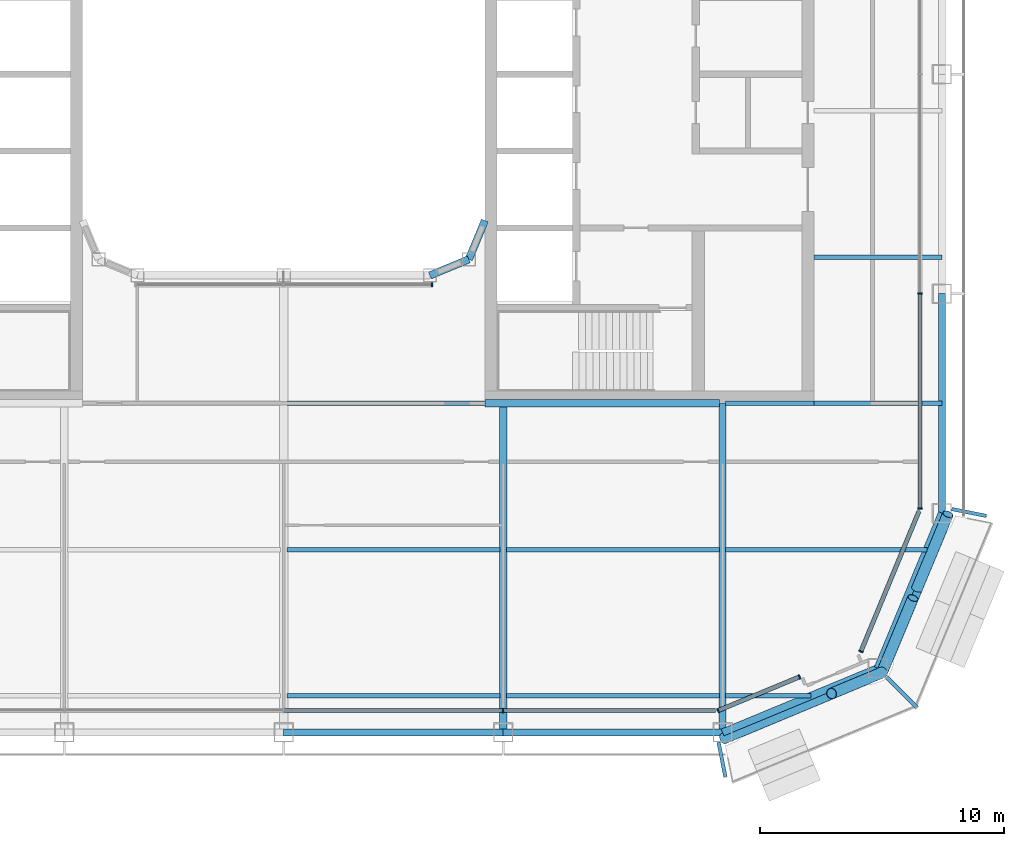
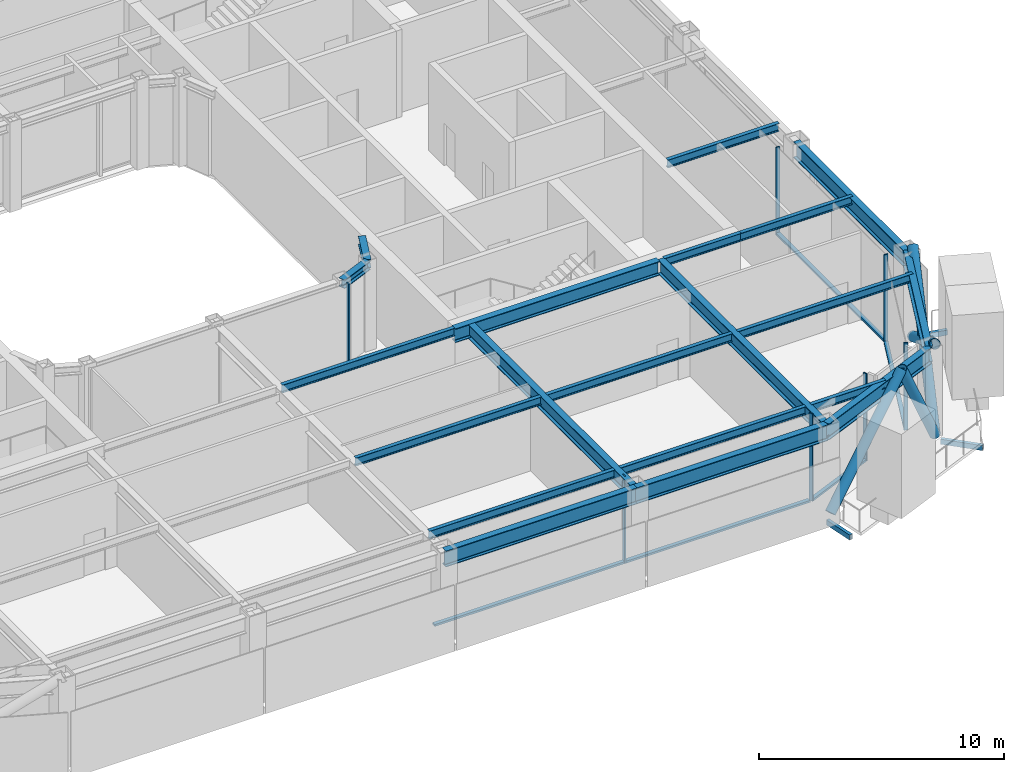
# One storey, part 4 of 22: 23 beams, 17 members, 5 elements without a shape of their own.
"""IFC4 building model written with IfcOpenShell, lengths in metres."""

from ifc_helpers import new_model, si_unit, direction, frame, origin, origin_2d, place, context, subcontext, project, spatial, rectangle, hollow_rectangle, hollow_circle, i_section, extrude, material, layer, layer_set, material_profile, profile_set, type_object, element, aggregate, save


model = new_model("IFC4")

# Units and contexts
model_context = context("Model", 3, precision=1e-05, world=origin(), true_north=direction((0.0, 1.0)))
body_context = subcontext(model_context, "Body", "Model", "MODEL_VIEW")
ifc_project = project(units=[si_unit("LENGTHUNIT", "METRE"), si_unit("AREAUNIT", "SQUARE_METRE"), si_unit("VOLUMEUNIT", "CUBIC_METRE"), si_unit("PLANEANGLEUNIT", "RADIAN"), si_unit("MASSUNIT", "GRAM", prefix="KILO")], contexts=[model_context])

# Site, building, storey
site_placement = place(None, origin())
site = spatial("IfcSite", under=ifc_project, at=site_placement, CompositionType="ELEMENT")
building_placement = place(site_placement, origin())
building = spatial("IfcBuilding", under=site, at=building_placement, Name="Siwar Civic Tower", CompositionType="ELEMENT")
storey_placement = place(building_placement, frame((0.0, 0.0, 255.699951171875)))
storey = spatial("IfcBuildingStorey", under=building, at=storey_placement, Name="L55", CompositionType="ELEMENT", Elevation=255.699951171875)

# Beams
ifc_material_1 = material(Name="Steel S355", Category="steel")
ifc_material_profile_1 = material_profile(ifc_material_1, hollow_rectangle(XDim=0.14990234375, YDim=0.25, WallThickness=0.010009765625, at=origin_2d()), Name="RHS250x150x10")
ifc_profile_set_1 = profile_set([ifc_material_profile_1], Name="Steel S355")
beam_type_1 = type_object("IfcBeamType", Name="ENV-BALCONY ARM", PredefinedType="BEAM", material=ifc_profile_set_1)
beam_1_placement = place(storey_placement, frame((17.8349609375, -27.39990234375, -0.27490234375), z_axis=(0.195042496631, -0.980794792252, 0.0), x_axis=(0.980794792252, 0.195042496631, 0.0)))
element("IfcBeam", 1, at=beam_1_placement, inside=storey, type_object=beam_type_1, Name="Balcony cantilever beam SE 1", PredefinedType="BEAM", context=body_context, shape_type="SweptSolid", body=[
    extrude(hollow_rectangle(XDim=0.14990234375, YDim=0.25, WallThickness=0.010009765625, at=origin_2d()), origin(), (0.0, 0.0, 1.0), 1.443359375),
])
beam_2_placement = place(storey_placement, frame((24.728515625, -24.728515625, -0.27490234375), z_axis=(0.707106781187, -0.707106781187, 0.0), x_axis=(0.707106781187, 0.707106781187, 0.0)))
element("IfcBeam", 2, at=beam_2_placement, inside=storey, type_object=beam_type_1, Name="Balcony cantilever beam SE 2", PredefinedType="BEAM", context=body_context, shape_type="SweptSolid", body=[
    extrude(hollow_rectangle(XDim=0.14990234375, YDim=0.25, WallThickness=0.010009765625, at=origin_2d()), origin(), (0.0, 0.0, 1.0), 1.75732421875),
])
beam_3_placement = place(storey_placement, frame((27.39990234375, -17.8349609375, -0.27490234375), z_axis=(0.980794792252, -0.195042496631, 0.0), x_axis=(0.195042496631, 0.980794792252, 0.0)))
element("IfcBeam", 3, at=beam_3_placement, inside=storey, type_object=beam_type_1, Name="Balcony cantilever beam SE 3", PredefinedType="BEAM", context=body_context, shape_type="SweptSolid", body=[
    extrude(hollow_rectangle(XDim=0.14990234375, YDim=0.25, WallThickness=0.010009765625, at=origin_2d()), origin(), (0.0, 0.0, 1.0), 1.443359375),
])

# Curtain wall, member
ifc_material_2 = material(Name="Aluminium and glass", Category="aluminium")
ifc_layer_1 = layer(ifc_material_2, 0.179931640625)
ifc_layer_set_1 = layer_set([ifc_layer_1], Name="Aluminium and glass")
curtain_wall_type_1 = type_object("IfcCurtainWallType", Name="ENV-CW-C", PredefinedType="NOTDEFINED", material=ifc_layer_set_1)
curtain_wall_1_placement = place(storey_placement, origin())
curtain_wall_1 = element("IfcCurtainWall", 4, at=curtain_wall_1_placement, inside=storey, type_object=curtain_wall_type_1, Name="Curtain wall C S", PredefinedType="NOTDEFINED")
ifc_material_3 = material(Name="Aluminium 6063-T6", Category="aluminium")
ifc_material_profile_2 = material_profile(ifc_material_3, rectangle(XDim=0.179931640625, YDim=0.06005859375, at=origin_2d()), Name="AL 180x60")
ifc_profile_set_2 = profile_set([ifc_material_profile_2], Name="Aluminium 6063-T6")
member_type_1 = type_object("IfcMemberType", Name="ENV-MULLION-C", PredefinedType="MULLION", material=ifc_profile_set_2)
member_1_placement = place(storey_placement, frame((9.0, -26.10009765625, 0.0), z_axis=(0.0, 0.0, 1.0), x_axis=(0.0, 1.0, 0.0)))
member_1 = element("IfcMember", 5, at=member_1_placement, type_object=member_type_1, Name="Mullion C S 4", PredefinedType="MULLION", context=body_context, shape_type="SweptSolid", body=[
    extrude(rectangle(XDim=0.179931640625, YDim=0.06005859375, at=origin_2d()), origin(), (0.0, 0.0, 1.0), 4.35009765625),
])

# Curtain wall, members
ifc_material_4 = material(Name="Aluminium clad insulated panel", Category="aluminium")
ifc_layer_2 = layer(ifc_material_4, 0.179931640625)
ifc_layer_set_2 = layer_set([ifc_layer_2], Name="Aluminium clad insulated panel")
curtain_wall_type_2 = type_object("IfcCurtainWallType", Name="ENV-CW-CX", PredefinedType="NOTDEFINED", material=ifc_layer_set_2)
curtain_wall_2_placement = place(storey_placement, origin())
curtain_wall_2 = element("IfcCurtainWall", 6, at=curtain_wall_2_placement, inside=storey, type_object=curtain_wall_type_2, Name="Curtain wall C SE1", PredefinedType="NOTDEFINED")
member_2_placement = place(storey_placement, frame((17.821044921875, -26.10009765625, 0.0), z_axis=(0.0, 0.0, 1.0), x_axis=(-0.382683432365, 0.923879532511, 0.0)))
member_2 = element("IfcMember", 7, at=member_2_placement, type_object=member_type_1, Name="Mullion C SE1 1", PredefinedType="MULLION", context=body_context, shape_type="SweptSolid", body=[
    extrude(rectangle(XDim=0.179931640625, YDim=0.06005859375, at=origin_2d()), origin(), (0.0, 0.0, 1.0), 4.35009765625),
])
member_3_placement = place(storey_placement, frame((21.153564453125, -24.719482421875, 0.0), z_axis=(0.0, 0.0, 1.0), x_axis=(-0.382683432365, 0.923879532511, 0.0)))
member_3 = element("IfcMember", 8, at=member_3_placement, type_object=member_type_1, Name="Mullion C SE1 2", PredefinedType="MULLION", context=body_context, shape_type="SweptSolid", body=[
    extrude(rectangle(XDim=0.179931640625, YDim=0.06005859375, at=origin_2d()), origin(), (0.0, 0.0, 1.0), 4.35009765625),
])

# Curtain wall, member
curtain_wall_3_placement = place(storey_placement, origin())
curtain_wall_3 = element("IfcCurtainWall", 9, at=curtain_wall_3_placement, inside=storey, type_object=curtain_wall_type_2, Name="Curtain wall C SE2", PredefinedType="NOTDEFINED")
member_4_placement = place(storey_placement, frame((23.675048828125, -23.675048828125, 0.0), z_axis=(0.0, 0.0, 1.0), x_axis=(-0.923879532511, 0.382683432365, 0.0)))
member_4 = element("IfcMember", 10, at=member_4_placement, type_object=member_type_1, Name="Mullion C SE2 1", PredefinedType="MULLION", context=body_context, shape_type="SweptSolid", body=[
    extrude(rectangle(XDim=0.179931640625, YDim=0.06005859375, at=origin_2d()), origin(), (0.0, 0.0, 1.0), 4.35009765625),
])

# Curtain wall, members
curtain_wall_4_placement = place(storey_placement, origin())
curtain_wall_4 = element("IfcCurtainWall", 11, at=curtain_wall_4_placement, inside=storey, type_object=curtain_wall_type_1, Name="Curtain wall C E", PredefinedType="NOTDEFINED")
member_5_placement = place(storey_placement, frame((26.10009765625, -17.821044921875, 0.0), z_axis=(0.0, 0.0, 1.0), x_axis=(-1.0, 0.0, 0.0)))
member_5 = element("IfcMember", 12, at=member_5_placement, type_object=member_type_1, Name="Mullion C E 1", PredefinedType="MULLION", context=body_context, shape_type="SweptSolid", body=[
    extrude(rectangle(XDim=0.179931640625, YDim=0.06005859375, at=origin_2d()), origin(), (0.0, 0.0, 1.0), 4.35009765625),
])
member_6_placement = place(storey_placement, frame((26.10009765625, -9.0, 0.0), z_axis=(0.0, 0.0, 1.0), x_axis=(-1.0, 0.0, 0.0)))
member_6 = element("IfcMember", 13, at=member_6_placement, type_object=member_type_1, Name="Mullion C E 2", PredefinedType="MULLION", context=body_context, shape_type="SweptSolid", body=[
    extrude(rectangle(XDim=0.179931640625, YDim=0.06005859375, at=origin_2d()), origin(), (0.0, 0.0, 1.0), 4.35009765625),
])

# Curtain wall, member
ifc_material_5 = material(Name="Aluminium and glass", Category="aluminium")
ifc_layer_3 = layer(ifc_material_5, 0.179931640625)
ifc_layer_set_3 = layer_set([ifc_layer_3], Name="Aluminium and glass")
curtain_wall_type_3 = type_object("IfcCurtainWallType", Name="ENV-CW-W", PredefinedType="NOTDEFINED", material=ifc_layer_set_3)
curtain_wall_5_placement = place(storey_placement, origin())
curtain_wall_5 = element("IfcCurtainWall", 14, at=curtain_wall_5_placement, inside=storey, type_object=curtain_wall_type_3, Name="Curtain wall W WS", PredefinedType="NOTDEFINED")
ifc_material_6 = material(Name="Aluminium 6063-T6", Category="aluminium")
ifc_material_profile_3 = material_profile(ifc_material_6, rectangle(XDim=0.179931640625, YDim=0.06005859375, at=origin_2d()), Name="AL 180x60")
ifc_profile_set_3 = profile_set([ifc_material_profile_3], Name="Aluminium 6063-T6")
member_type_2 = type_object("IfcMemberType", Name="ENV-MULLION-W", PredefinedType="MULLION", material=ifc_profile_set_3)
member_7_placement = place(storey_placement, frame((6.07666015625, -8.635009765625, 0.0), z_axis=(0.0, 0.0, 1.0), x_axis=(0.0, 1.0, 0.0)))
member_7 = element("IfcMember", 15, at=member_7_placement, type_object=member_type_2, Name="Mullion W WS 3", PredefinedType="MULLION", context=body_context, shape_type="SweptSolid", body=[
    extrude(rectangle(XDim=0.179931640625, YDim=0.06005859375, at=origin_2d()), origin(), (0.0, 0.0, 1.0), 4.35009765625),
])
aggregate(curtain_wall_5, [member_7])

# Member
ifc_material_7 = material(Name="Aluminium 6063-T6", Category="aluminium")
ifc_material_profile_4 = material_profile(ifc_material_7, rectangle(XDim=0.179931640625, YDim=0.10009765625, at=origin_2d()), Name="AL 180x100")
ifc_profile_set_4 = profile_set([ifc_material_profile_4], Name="Aluminium 6063-T6")
member_type_3 = type_object("IfcMemberType", Name="ENV-TRANSOM-C", PredefinedType="USERDEFINED", material=ifc_profile_set_4)
member_8_placement = place(storey_placement, frame((0.030029296875, -26.10009765625, 0.050048828125), z_axis=(1.0, 0.0, 0.0), x_axis=(0.0, 1.0, 0.0)))
member_8 = element("IfcMember", 16, at=member_8_placement, type_object=member_type_3, Name="Transom C S 3", ObjectType="TRANSOM", PredefinedType="USERDEFINED", context=body_context, shape_type="SweptSolid", body=[
    extrude(rectangle(XDim=0.179931640625, YDim=0.10009765625, at=origin_2d()), origin(), (0.0, 0.0, 1.0), 8.93994140625),
])

member_9_placement = place(storey_placement, frame((9.030029296875, -26.10009765625, 0.050048828125), z_axis=(1.0, 0.0, 0.0), x_axis=(0.0, 1.0, 0.0)))
member_9 = element("IfcMember", 17, at=member_9_placement, type_object=member_type_3, Name="Transom C S 4", ObjectType="TRANSOM", PredefinedType="USERDEFINED", context=body_context, shape_type="SweptSolid", body=[
    extrude(rectangle(XDim=0.179931640625, YDim=0.10009765625, at=origin_2d()), origin(), (0.0, 0.0, 1.0), 8.68603515625),
])

aggregate(curtain_wall_1, [member_1, member_8, member_9])

member_10_placement = place(storey_placement, frame((17.8486328125, -26.088623046875, 0.050048828125), z_axis=(0.92386500214, 0.3827185099, 0.0), x_axis=(-0.3827185099, 0.92386500214, 0.0)))
member_10 = element("IfcMember", 18, at=member_10_placement, type_object=member_type_3, Name="Transom C SE1 1", ObjectType="TRANSOM", PredefinedType="USERDEFINED", context=body_context, shape_type="SweptSolid", body=[
    extrude(rectangle(XDim=0.179931640625, YDim=0.10009765625, at=origin_2d()), origin(), (0.0, 0.0, 1.0), 3.54736328125),
])

aggregate(curtain_wall_2, [member_2, member_3, member_10])

member_11_placement = place(storey_placement, frame((23.6865234375, -23.6474609375, 0.050048828125), z_axis=(0.382691366456, 0.923876246063, 0.0), x_axis=(-0.923876246063, 0.382691366456, 0.0)))
member_11 = element("IfcMember", 19, at=member_11_placement, type_object=member_type_3, Name="Transom C SE2 1", ObjectType="TRANSOM", PredefinedType="USERDEFINED", context=body_context, shape_type="SweptSolid", body=[
    extrude(rectangle(XDim=0.179931640625, YDim=0.10009765625, at=origin_2d()), origin(), (0.0, 0.0, 1.0), 6.20166015625),
])

aggregate(curtain_wall_3, [member_4, member_11])

member_12_placement = place(storey_placement, frame((26.10009765625, -17.791015625, 0.050048828125), z_axis=(0.0, 1.0, 0.0), x_axis=(-1.0, 0.0, 0.0)))
member_12 = element("IfcMember", 20, at=member_12_placement, type_object=member_type_3, Name="Transom C E 1", ObjectType="TRANSOM", PredefinedType="USERDEFINED", context=body_context, shape_type="SweptSolid", body=[
    extrude(rectangle(XDim=0.179931640625, YDim=0.10009765625, at=origin_2d()), origin(), (0.0, 0.0, 1.0), 8.760986328125),
])

aggregate(curtain_wall_4, [member_5, member_6, member_12])

# Members
ifc_material_8 = material(Name="Steel S355", Category="steel")
ifc_material_profile_5 = material_profile(ifc_material_8, hollow_circle(Radius=0.228515625, WallThickness=0.02001953125, at=origin_2d()), Name="CHS457x20")
ifc_profile_set_5 = profile_set([ifc_material_profile_5], Name="Steel S355")
member_type_4 = type_object("IfcMemberType", Name="STR-BR-CHS457x20", PredefinedType="BRACE", material=ifc_profile_set_5)
member_13_placement = place(storey_placement, frame((27.2451171875, -18.048828125, 0.0), z_axis=(-0.323905527954, -0.777554562952, 0.538975055633), x_axis=(0.923108759191, -0.384538969033, 0.0)))
element("IfcMember", 21, at=member_13_placement, inside=storey, type_object=member_type_4, Name="L55/brc/CSE1-15-0-1", PredefinedType="BRACE", context=body_context, shape_type="SweptSolid", body=[
    extrude(hollow_circle(Radius=0.228515625, WallThickness=0.02001953125, at=origin_2d()), origin(), (0.0, 0.0, 1.0), 8.34912109375),
])
for number, where, z_axis, x_axis, name in (
    (22, (24.540771484375, -24.540771484375, 0.0), (0.323884455881, 0.777546448489, 0.538999424564), (-0.92311621485, 0.38452107079, 0.0), "L55/brc/CSE1-15-0-2"),
    (23, (25.972900390625, -21.10302734375, 2.383056640625), (0.323895306243, 0.777572496853, 0.538955325357), (-0.92311621485, 0.38452107079, 0.0), "L55/brc/CSE1-15-0-3"),
):
    element("IfcMember", number, at=place(storey_placement, frame(where, z_axis=z_axis, x_axis=x_axis)), inside=storey, type_object=member_type_4, Name=name, PredefinedType="BRACE", context=body_context, shape_type="SweptSolid", body=[
        extrude(hollow_circle(Radius=0.228515625, WallThickness=0.02001953125, at=origin_2d()), origin(), (0.0, 0.0, 1.0), 3.927978515625),
    ])
member_14_placement = place(storey_placement, frame((18.048828125, -27.2451171875, 0.0), z_axis=(0.672864582402, 0.280310719993, 0.684601456328), x_axis=(-0.384557494138, 0.923101041979, 0.0)))
element("IfcMember", 24, at=member_14_placement, inside=storey, type_object=member_type_4, Name="L55/brc/CSE1-15-0-0", PredefinedType="BRACE", context=body_context, shape_type="SweptSolid", body=[
    extrude(hollow_circle(Radius=0.228515625, WallThickness=0.02001953125, at=origin_2d()), origin(), (0.0, 0.0, 1.0), 6.5732421875),
])
member_15_placement = place(storey_placement, frame((24.540771484375, -24.540771484375, 0.0), z_axis=(-0.411570178484, -0.171426870802, 0.895110504993), x_axis=(0.384499368559, -0.923125254544, 0.0)))
element("IfcMember", 25, at=member_15_placement, inside=storey, type_object=member_type_4, Name="L55/brc/CSE1-15-0-6", PredefinedType="BRACE", context=body_context, shape_type="SweptSolid", body=[
    extrude(hollow_circle(Radius=0.228515625, WallThickness=0.02001953125, at=origin_2d()), origin(), (0.0, 0.0, 1.0), 5.02734375),
])

# Beams
ifc_material_9 = material(Name="Steel S355", Category="steel")
ifc_material_profile_6 = material_profile(ifc_material_9, i_section(OverallWidth=0.179931640625, OverallDepth=0.39990234375, WebThickness=0.008544921875, FlangeThickness=0.013427734375, FilletRadius=0.02099609375, at=origin_2d()), Name="IPE400")
ifc_profile_set_6 = profile_set([ifc_material_profile_6], Name="Steel S355")
beam_type_2 = type_object("IfcBeamType", Name="STR-FB-IPE400", PredefinedType="JOIST", material=ifc_profile_set_6)
for number, where, z_axis, x_axis, name in (
    (26, (0.1298828125, -25.5, 4.150146484375), (1.0, 0.0, 0.0), (0.0, 1.0, 0.0), "L55/bm/F004"),
    (27, (9.1298828125, -25.5, 4.150146484375), (1.0, 0.0, 0.0), (0.0, 1.0, 0.0), "L55/bm/F005"),
):
    element("IfcBeam", number, at=place(storey_placement, frame(where, z_axis=z_axis, x_axis=x_axis)), inside=storey, type_object=beam_type_2, Name=name, PredefinedType="JOIST", context=body_context, shape_type="SweptSolid", body=[
        extrude(i_section(OverallWidth=0.179931640625, OverallDepth=0.39990234375, WebThickness=0.008544921875, FlangeThickness=0.013427734375, FilletRadius=0.02099609375, at=origin_2d()), origin(), (0.0, 0.0, 1.0), 8.740234375),
    ])
beam_4_placement = place(storey_placement, frame((18.1298828125, -25.5, 4.150146484375), z_axis=(1.0, 0.0, 0.0), x_axis=(0.0, 1.0, 0.0)))
element("IfcBeam", 28, at=beam_4_placement, inside=storey, type_object=beam_type_2, Name="L55/bm/F006", PredefinedType="JOIST", context=body_context, shape_type="SweptSolid", body=[
    extrude(i_section(OverallWidth=0.179931640625, OverallDepth=0.39990234375, WebThickness=0.008544921875, FlangeThickness=0.013427734375, FilletRadius=0.02099609375, at=origin_2d()), origin(), (0.0, 0.0, 1.0), 3.491455078125),
])
for number, where, z_axis, x_axis, name in (
    (29, (0.1298828125, -19.5, 4.150146484375), (1.0, 0.0, 0.0), (0.0, 1.0, 0.0), "L55/bm/F010"),
    (30, (9.1298828125, -19.5, 4.150146484375), (1.0, 0.0, 0.0), (0.0, 1.0, 0.0), "L55/bm/F011"),
):
    element("IfcBeam", number, at=place(storey_placement, frame(where, z_axis=z_axis, x_axis=x_axis)), inside=storey, type_object=beam_type_2, Name=name, PredefinedType="JOIST", context=body_context, shape_type="SweptSolid", body=[
        extrude(i_section(OverallWidth=0.179931640625, OverallDepth=0.39990234375, WebThickness=0.008544921875, FlangeThickness=0.013427734375, FilletRadius=0.02099609375, at=origin_2d()), origin(), (0.0, 0.0, 1.0), 8.740234375),
    ])
beam_5_placement = place(storey_placement, frame((18.1298828125, -19.5, 4.150146484375), z_axis=(1.0, 0.0, 0.0), x_axis=(0.0, 1.0, 0.0)))
element("IfcBeam", 31, at=beam_5_placement, inside=storey, type_object=beam_type_2, Name="L55/bm/F012", PredefinedType="JOIST", context=body_context, shape_type="SweptSolid", body=[
    extrude(i_section(OverallWidth=0.179931640625, OverallDepth=0.39990234375, WebThickness=0.008544921875, FlangeThickness=0.013427734375, FilletRadius=0.02099609375, at=origin_2d()), origin(), (0.0, 0.0, 1.0), 8.248779296875),
])
beam_6_placement = place(storey_placement, frame((0.1298828125, -13.5, 4.150146484375), z_axis=(1.0, 0.0, 0.0), x_axis=(0.0, 1.0, 0.0)))
element("IfcBeam", 32, at=beam_6_placement, inside=storey, type_object=beam_type_2, Name="L55/bm/F017", PredefinedType="JOIST", context=body_context, shape_type="SweptSolid", body=[
    extrude(i_section(OverallWidth=0.179931640625, OverallDepth=0.39990234375, WebThickness=0.008544921875, FlangeThickness=0.013427734375, FilletRadius=0.02099609375, at=origin_2d()), origin(), (0.0, 0.0, 1.0), 8.1201171875),
])
beam_7_placement = place(storey_placement, frame((18.1298828125, -13.5, 4.150146484375), z_axis=(1.0, 0.0, 0.0), x_axis=(0.0, 1.0, 0.0)))
element("IfcBeam", 33, at=beam_7_placement, inside=storey, type_object=beam_type_2, Name="L55/bm/F019", PredefinedType="JOIST", context=body_context, shape_type="SweptSolid", body=[
    extrude(i_section(OverallWidth=0.179931640625, OverallDepth=0.39990234375, WebThickness=0.008544921875, FlangeThickness=0.013427734375, FilletRadius=0.02099609375, at=origin_2d()), origin(), (0.0, 0.0, 1.0), 3.6201171875),
])
for number, where, z_axis, x_axis, name in (
    (34, (21.75, -13.5, 4.150146484375), (1.0, 0.0, 0.0), (0.0, 1.0, 0.0), "L55/bm/F020"),
    (35, (21.75, -7.5, 4.150146484375), (1.0, 0.0, 0.0), (0.0, 1.0, 0.0), "L55/bm/F022"),
):
    element("IfcBeam", number, at=place(storey_placement, frame(where, z_axis=z_axis, x_axis=x_axis)), inside=storey, type_object=beam_type_2, Name=name, PredefinedType="JOIST", context=body_context, shape_type="SweptSolid", body=[
        extrude(i_section(OverallWidth=0.179931640625, OverallDepth=0.39990234375, WebThickness=0.008544921875, FlangeThickness=0.013427734375, FilletRadius=0.02099609375, at=origin_2d()), origin(), (0.0, 0.0, 1.0), 5.25),
    ])
ifc_material_10 = material(Name="Steel S355", Category="steel")
ifc_material_profile_7 = material_profile(ifc_material_10, i_section(OverallWidth=0.300048828125, OverallDepth=0.699951171875, WebThickness=0.01708984375, FlangeThickness=0.031982421875, FilletRadius=0.027099609375, at=origin_2d()), Name="HEB700")
ifc_profile_set_7 = profile_set([ifc_material_profile_7], Name="Steel S355")
beam_type_3 = type_object("IfcBeamType", Name="STR-PG-HEB700", PredefinedType="BEAM", material=ifc_profile_set_7)
for number, where, z_axis, x_axis, name in (
    (36, (9.0, -27.0, 4.0), (0.0, 1.0, 0.0), (-1.0, 0.0, 0.0), "L55/bm/G07"),
    (37, (18.0, -27.0, 4.0), (0.0, 1.0, 0.0), (-1.0, 0.0, 0.0), "L55/bm/G09"),
):
    element("IfcBeam", number, at=place(storey_placement, frame(where, z_axis=z_axis, x_axis=x_axis)), inside=storey, type_object=beam_type_3, Name=name, PredefinedType="BEAM", context=body_context, shape_type="SweptSolid", body=[
        extrude(i_section(OverallWidth=0.300048828125, OverallDepth=0.699951171875, WebThickness=0.01708984375, FlangeThickness=0.031982421875, FilletRadius=0.027099609375, at=origin_2d()), origin(), (0.0, 0.0, 1.0), 13.5),
    ])
beam_8_placement = place(storey_placement, frame((8.25, -13.5, 4.0), z_axis=(1.0, 0.0, 0.0), x_axis=(0.0, 1.0, 0.0)))
element("IfcBeam", 38, at=beam_8_placement, inside=storey, type_object=beam_type_3, Name="L55/bm/F018", PredefinedType="BEAM", context=body_context, shape_type="SweptSolid", body=[
    extrude(i_section(OverallWidth=0.300048828125, OverallDepth=0.699951171875, WebThickness=0.01708984375, FlangeThickness=0.031982421875, FilletRadius=0.027099609375, at=origin_2d()), origin(), (0.0, 0.0, 1.0), 9.6201171875),
])
ifc_material_11 = material(Name="Steel S355", Category="steel")
ifc_material_profile_8 = material_profile(ifc_material_11, i_section(OverallWidth=0.306884765625, OverallDepth=0.431884765625, WebThickness=0.02099609375, FlangeThickness=0.0400390625, FilletRadius=0.027099609375, at=origin_2d()), Name="HEM400")
ifc_profile_set_8 = profile_set([ifc_material_profile_8], Name="Steel S355")
beam_type_4 = type_object("IfcBeamType", Name="STR-RB-HEM400", PredefinedType="BEAM", material=ifc_profile_set_8)
for number, where, z_axis, x_axis, name in (
    (39, (6.0, -8.25, 4.134033203125), (0.923901072997, 0.382631424892, 0.0), (-0.382631424892, 0.923901072997, 0.0), "L55/bm/RS3"),
    (40, (7.591064453125, -7.591064453125, 4.134033203125), (0.382631424892, 0.923901072997, 0.0), (-0.923901072997, 0.382631424892, 0.0), "L55/bm/RSEE"),
):
    element("IfcBeam", number, at=place(storey_placement, frame(where, z_axis=z_axis, x_axis=x_axis)), inside=storey, type_object=beam_type_4, Name=name, PredefinedType="BEAM", context=body_context, shape_type="SweptSolid", body=[
        extrude(i_section(OverallWidth=0.306884765625, OverallDepth=0.431884765625, WebThickness=0.02099609375, FlangeThickness=0.0400390625, FilletRadius=0.027099609375, at=origin_2d()), origin(), (0.0, 0.0, 1.0), 1.72216796875),
    ])
ifc_material_12 = material(Name="Steel S355", Category="steel")
ifc_material_profile_9 = material_profile(ifc_material_12, i_section(OverallWidth=0.300048828125, OverallDepth=0.800048828125, WebThickness=0.017578125, FlangeThickness=0.032958984375, FilletRadius=0.030029296875, at=origin_2d()), Name="HEB800")
ifc_profile_set_9 = profile_set([ifc_material_profile_9], Name="Steel S355")
beam_type_5 = type_object("IfcBeamType", Name="STR-SB-HEB800", PredefinedType="BEAM", material=ifc_profile_set_9)
for number, where, z_axis, x_axis, name in (
    (41, (0.0, -27.0, 3.949951171875), (1.0, 0.0, 0.0), (0.0, 1.0, 0.0), "L55/bm/SS-2"),
    (42, (9.0, -27.0, 3.949951171875), (1.0, 0.0, 0.0), (0.0, 1.0, 0.0), "L55/bm/SS-3"),
):
    element("IfcBeam", number, at=place(storey_placement, frame(where, z_axis=z_axis, x_axis=x_axis)), inside=storey, type_object=beam_type_5, Name=name, PredefinedType="BEAM", context=body_context, shape_type="SweptSolid", body=[
        extrude(i_section(OverallWidth=0.300048828125, OverallDepth=0.800048828125, WebThickness=0.017578125, FlangeThickness=0.032958984375, FilletRadius=0.030029296875, at=origin_2d()), origin(), (0.0, 0.0, 1.0), 9.0),
    ])
for number, where, z_axis, x_axis, name in (
    (43, (18.0, -27.0, 3.949951171875), (0.923883353507, 0.382674207535, 0.0), (-0.382674207535, 0.923883353507, 0.0), "L55/bm/SSE1-0"),
    (44, (24.364013671875, -24.364013671875, 3.949951171875), (0.382674207535, 0.923883353507, 0.0), (-0.923883353507, 0.382674207535, 0.0), "L55/bm/SSE2-0"),
):
    element("IfcBeam", number, at=place(storey_placement, frame(where, z_axis=z_axis, x_axis=x_axis)), inside=storey, type_object=beam_type_5, Name=name, PredefinedType="BEAM", context=body_context, shape_type="SweptSolid", body=[
        extrude(i_section(OverallWidth=0.300048828125, OverallDepth=0.800048828125, WebThickness=0.017578125, FlangeThickness=0.032958984375, FilletRadius=0.030029296875, at=origin_2d()), origin(), (0.0, 0.0, 1.0), 6.888427734375),
    ])
beam_9_placement = place(storey_placement, frame((27.0, -18.0, 3.949951171875), z_axis=(0.0, 1.0, 0.0), x_axis=(-1.0, 0.0, 0.0)))
element("IfcBeam", 45, at=beam_9_placement, inside=storey, type_object=beam_type_5, Name="L55/bm/SE-0", PredefinedType="BEAM", context=body_context, shape_type="SweptSolid", body=[
    extrude(i_section(OverallWidth=0.300048828125, OverallDepth=0.800048828125, WebThickness=0.017578125, FlangeThickness=0.032958984375, FilletRadius=0.030029296875, at=origin_2d()), origin(), (0.0, 0.0, 1.0), 9.0),
])

save(model, "model.ifc")
